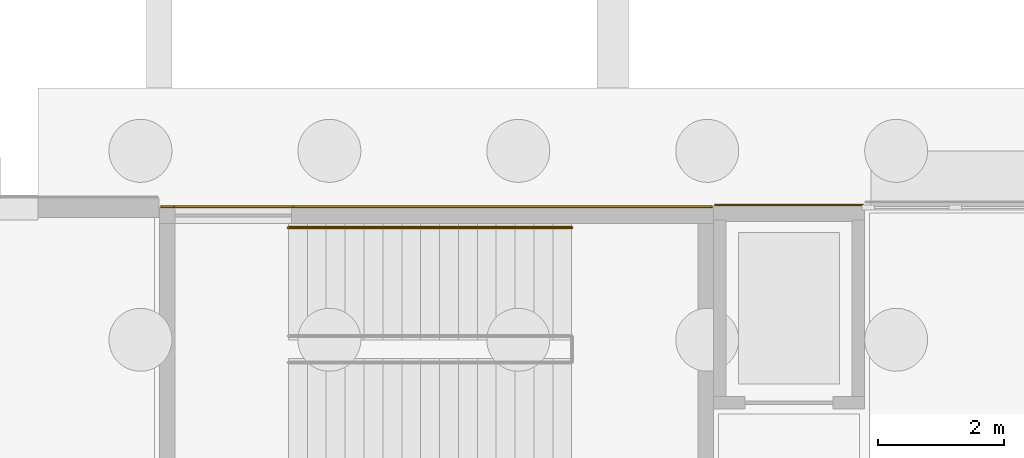
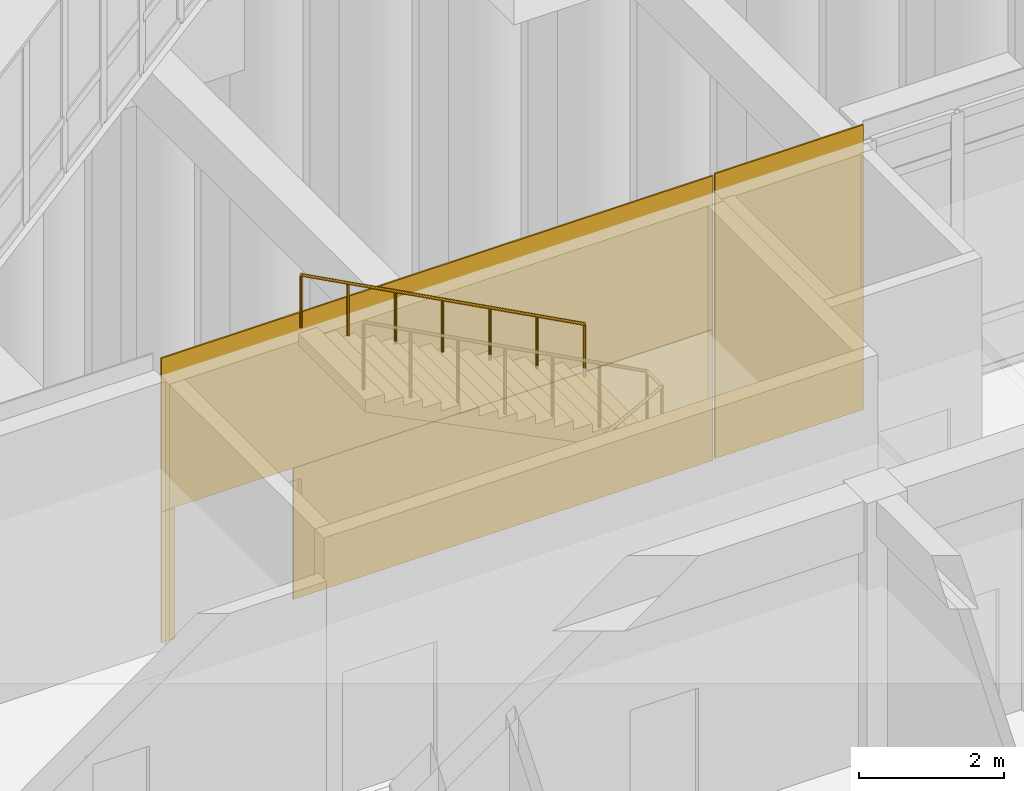
# One storey, part 77 of 103: 4 coverings, 1 railing.
"""IFC4 building model written with IfcOpenShell, lengths in metres."""

from ifc_helpers import new_model, si_unit, direction, frame, origin, origin_2d, place, context, subcontext, project, spatial, rectangle, circle, extrude, material, layer, layer_set, type_object, element, save


model = new_model("IFC4")

# Units and contexts
model_context = context("Model", 3, precision=1e-05, world=origin(), true_north=direction((0.0, 1.0)))
body_context = subcontext(model_context, "Body", "Model", "MODEL_VIEW")
ifc_project = project(units=[si_unit("LENGTHUNIT", "METRE"), si_unit("AREAUNIT", "SQUARE_METRE"), si_unit("VOLUMEUNIT", "CUBIC_METRE"), si_unit("PLANEANGLEUNIT", "RADIAN"), si_unit("MASSUNIT", "GRAM", prefix="KILO")], contexts=[model_context])

# Site, building, storey
site_placement = place(None, origin())
site = spatial("IfcSite", under=ifc_project, at=site_placement, CompositionType="ELEMENT")
building_placement = place(site_placement, origin())
building = spatial("IfcBuilding", under=site, at=building_placement, Name="Namkhue Oval Health Centre", CompositionType="ELEMENT")
storey_placement = place(building_placement, origin())
storey = spatial("IfcBuildingStorey", under=building, at=storey_placement, Name="L00", CompositionType="ELEMENT", Elevation=0.0)

# Railing
ifc_material_1 = material(Name="Brushed stainless steel 304 tubular handrail", Category="steel")
railing_type = type_object("IfcRailingType", Name="INTERIOR STAIR HANDRAIL 900", PredefinedType="HANDRAIL", material=ifc_material_1)
railing_placement = place(storey_placement, frame((64.14990234375, 28.47998046875, 2.39990234375)))
element("IfcRailing", 1, at=railing_placement, inside=storey, type_object=railing_type, Name="Stair ST-07 L00 Flight 2 Handrail", PredefinedType="HANDRAIL", context=body_context, shape_type="SweptSolid", body=[
    extrude(circle(Radius=0.02392578125, at=origin_2d()), frame((0.0, 0.0, 0.8759765625), z_axis=(-0.882341014787, 0.0, 0.470610596591), x_axis=(0.0, -1.0, 0.0)), (0.0, 0.0, 1.0), 5.10009765625),
    extrude(circle(Radius=0.02099609375, at=origin_2d()), origin(), (0.0, 0.0, 1.0), 0.851806640625),
    extrude(circle(Radius=0.02099609375, at=origin_2d()), frame((-0.75, 0.0, 0.39990234375)), (0.0, 0.0, 1.0), 0.851806640625),
    extrude(circle(Radius=0.02099609375, at=origin_2d()), frame((-1.5, 0.0, 0.800048828125)), (0.0, 0.0, 1.0), 0.851806640625),
    extrude(circle(Radius=0.02099609375, at=origin_2d()), frame((-2.25, 0.0, 1.2001953125)), (0.0, 0.0, 1.0), 0.851806640625),
    extrude(circle(Radius=0.02099609375, at=origin_2d()), frame((-3.0, 0.0, 1.60009765625)), (0.0, 0.0, 1.0), 0.851806640625),
    extrude(circle(Radius=0.02099609375, at=origin_2d()), frame((-3.75, 0.0, 2.0)), (0.0, 0.0, 1.0), 0.851806640625),
    extrude(circle(Radius=0.02099609375, at=origin_2d()), frame((-4.5, 0.0, 2.400146484375)), (0.0, 0.0, 1.0), 0.851806640625),
])

# Coverings
ifc_material_2 = material(Name="White glass-fibre reinforced concrete GRC rainscreen cladding", Category="concrete")
ifc_layer = layer(ifc_material_2, 0.02490234375)
ifc_layer_set = layer_set([ifc_layer], Name="White glass-fibre reinforced concrete GRC rainscreen cladding")
covering_type = type_object("IfcCoveringType", Name="WHITE GRC RAINSCREEN CLADDING 25", PredefinedType="CLADDING", material=ifc_layer_set)
covering_1_placement = place(storey_placement, frame((62.0, 28.81201171875, 2.21484375), z_axis=(0.0, 0.0, 1.0), x_axis=(-1.0, 0.0, 0.0)))
element("IfcCovering", 2, at=covering_1_placement, inside=storey, type_object=covering_type, Name="Core SC-07 L00 Core N White GRC Cladding 1", PredefinedType="CLADDING", context=body_context, shape_type="SweptSolid", body=[
    extrude(rectangle(XDim=8.760009765625, YDim=0.02490234375, at=origin_2d()), origin(), (0.0, 0.0, 1.0), 2.574951171875),
])
covering_2_placement = place(storey_placement, frame((63.047607421875, 28.81201171875, 0.01025390625), z_axis=(0.0, 0.0, 1.0), x_axis=(-1.0, 0.0, 0.0)))
element("IfcCovering", 3, at=covering_2_placement, inside=storey, type_object=covering_type, Name="Core SC-07 L00 Core N White GRC Cladding 2", PredefinedType="CLADDING", context=body_context, shape_type="SweptSolid", body=[
    extrude(rectangle(XDim=6.6650390625, YDim=0.02490234375, at=origin_2d()), origin(), (0.0, 0.0, 1.0), 2.199951171875),
])
covering_3_placement = place(storey_placement, frame((57.7275390625, 28.81201171875, 0.01025390625), z_axis=(0.0, 0.0, 1.0), x_axis=(-1.0, 0.0, 0.0)))
element("IfcCovering", 4, at=covering_3_placement, inside=storey, type_object=covering_type, Name="Core SC-07 L00 Core N White GRC Cladding 3", PredefinedType="CLADDING", context=body_context, shape_type="SweptSolid", body=[
    extrude(rectangle(XDim=0.215087890625, YDim=0.02490234375, at=origin_2d()), origin(), (0.0, 0.0, 1.0), 2.199951171875),
])
covering_4_placement = place(storey_placement, frame((67.60009765625, 28.8369140625, 0.009765625), z_axis=(0.0, 0.0, 1.0), x_axis=(-1.0, 0.0, 0.0)))
element("IfcCovering", 5, at=covering_4_placement, inside=storey, type_object=covering_type, Name="Lift LF-05 L00 N White GRC Cladding 1", PredefinedType="CLADDING", context=body_context, shape_type="SweptSolid", body=[
    extrude(rectangle(XDim=2.360107421875, YDim=0.02490234375, at=origin_2d()), origin(), (0.0, 0.0, 1.0), 4.780029296875),
])

save(model, "model.ifc")
